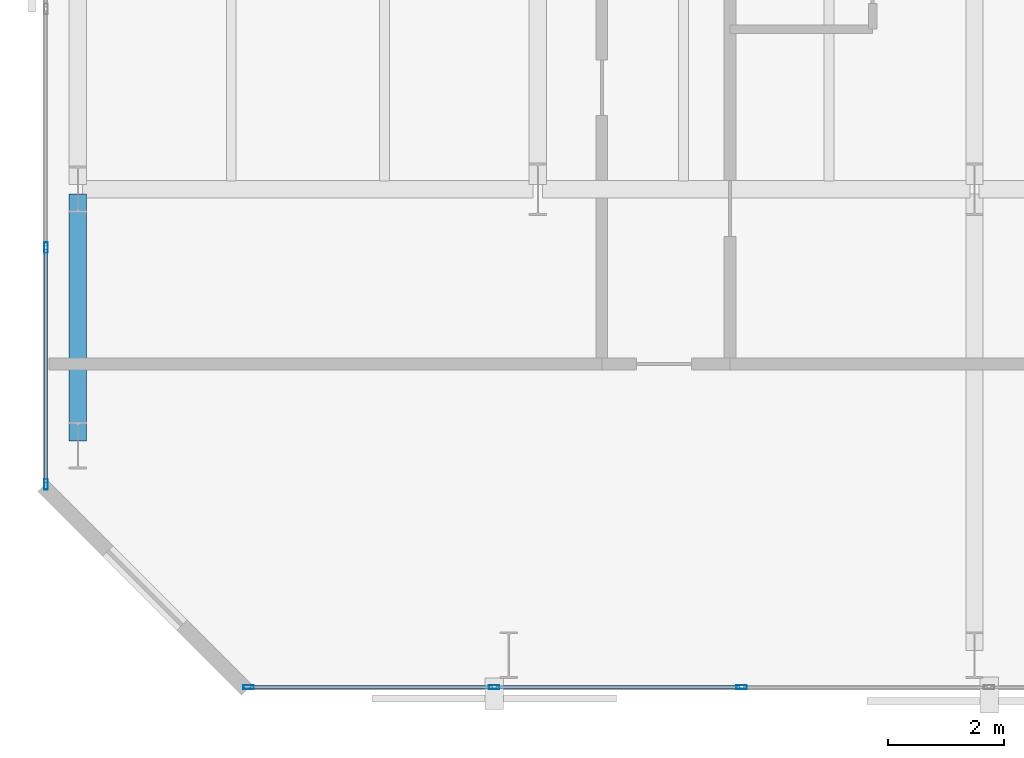
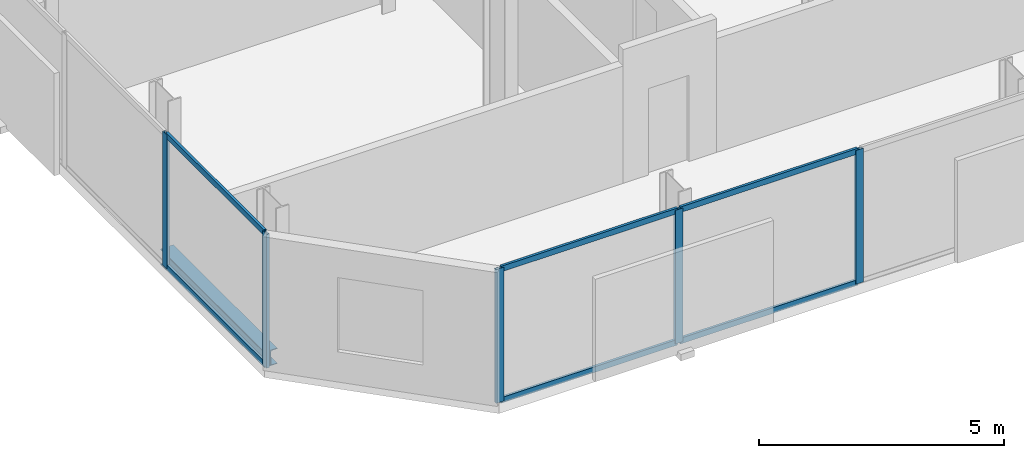
# One storey, part 3 of 32: 11 members, 1 beam, 2 elements without a shape of their own.
"""IFC4 building model written with IfcOpenShell, lengths in metres."""

from ifc_helpers import new_model, si_unit, direction, frame, origin, origin_2d, place, context, subcontext, project, spatial, hollow_rectangle, i_section, extrude, material, layer, layer_set, material_profile, profile_set, type_object, element, aggregate, save


model = new_model("IFC4")

# Units and contexts
model_context = context("Model", 3, precision=1e-05, world=origin(), true_north=direction((0.0, 1.0)))
body_context = subcontext(model_context, "Body", "Model", "MODEL_VIEW")
ifc_project = project(units=[si_unit("LENGTHUNIT", "METRE"), si_unit("AREAUNIT", "SQUARE_METRE"), si_unit("VOLUMEUNIT", "CUBIC_METRE"), si_unit("PLANEANGLEUNIT", "RADIAN"), si_unit("MASSUNIT", "GRAM", prefix="KILO")], contexts=[model_context])

# Site, building, storey
site_placement = place(None, origin())
site = spatial("IfcSite", under=ifc_project, at=site_placement, CompositionType="ELEMENT")
building_placement = place(site_placement, origin())
building = spatial("IfcBuilding", under=site, at=building_placement, Name="Catumbela Crestline Tower", CompositionType="ELEMENT")
storey_placement = place(building_placement, frame((0.0, 0.0, 65.4)))
storey = spatial("IfcBuildingStorey", under=building, at=storey_placement, Name="L16", CompositionType="ELEMENT", Elevation=65.4)

# Curtain wall, members
ifc_material_1 = material(Name="Aluminium alloy AW-6060-T66", Category="aluminium")
ifc_layer = layer(ifc_material_1, 0.18, Name="Aluminium alloy AW-6060-T66")
ifc_layer_set = layer_set([ifc_layer], Name="Aluminium alloy AW-6060-T66")
curtain_wall_type = type_object("IfcCurtainWallType", Name="CWU-Z1", PredefinedType="USERDEFINED", material=ifc_layer_set)
curtain_wall_1_placement = place(storey_placement, origin())
curtain_wall_1 = element("IfcCurtainWall", 1, at=curtain_wall_1_placement, inside=storey, type_object=curtain_wall_type, Name="L16 Unitised Curtain Wall CW-L16-E0S1", ObjectType="UNITISED", PredefinedType="USERDEFINED")
ifc_material_profile_1 = material_profile(ifc_material_1, hollow_rectangle(XDim=0.065, YDim=0.18, WallThickness=0.004, at=origin_2d()), Name="ALU 180x65x4")
ifc_profile_set_1 = profile_set([ifc_material_profile_1], Name="Aluminium alloy AW-6060-T66")
member_type_1 = type_object("IfcMemberType", Name="MUL-180X65", PredefinedType="MULLION", material=ifc_profile_set_1)
member_1_placement = place(storey_placement, frame((3.5325, 0.05, 0.0), z_axis=(0.0, 0.0, 1.0), x_axis=(0.0, 1.0, 0.0)))
member_1 = element("IfcMember", 2, at=member_1_placement, type_object=member_type_1, Name="CWU-Z1 mullion 1", PredefinedType="MULLION", context=body_context, shape_type="SweptSolid", body=[
    extrude(hollow_rectangle(XDim=0.065, YDim=0.18, WallThickness=0.004, at=origin_2d()), origin(), (0.0, 0.0, 1.0), 3.33),
])
member_2_placement = place(storey_placement, frame((7.75, 0.05, 0.0), z_axis=(0.0, 0.0, 1.0), x_axis=(0.0, 1.0, 0.0)))
member_2 = element("IfcMember", 3, at=member_2_placement, type_object=member_type_1, Name="CWU-Z1 mullion 2", PredefinedType="MULLION", context=body_context, shape_type="SweptSolid", body=[
    extrude(hollow_rectangle(XDim=0.065, YDim=0.18, WallThickness=0.004, at=origin_2d()), origin(), (0.0, 0.0, 1.0), 3.33),
])
member_3_placement = place(storey_placement, frame((12.0, 0.05, 0.0), z_axis=(0.0, 0.0, 1.0), x_axis=(0.0, 1.0, 0.0)))
member_3 = element("IfcMember", 4, at=member_3_placement, type_object=member_type_1, Name="CWU-Z1 mullion 3", PredefinedType="MULLION", context=body_context, shape_type="SweptSolid", body=[
    extrude(hollow_rectangle(XDim=0.065, YDim=0.18, WallThickness=0.004, at=origin_2d()), origin(), (0.0, 0.0, 1.0), 3.33),
])

curtain_wall_2_placement = place(storey_placement, origin())
curtain_wall_2 = element("IfcCurtainWall", 5, at=curtain_wall_2_placement, inside=storey, type_object=curtain_wall_type, Name="L16 Unitised Curtain Wall CW-L16-E9S1", ObjectType="UNITISED", PredefinedType="USERDEFINED")
member_4_placement = place(storey_placement, frame((0.05, 7.6, 0.0), z_axis=(0.0, 0.0, 1.0), x_axis=(1.0, 0.0, 0.0)))
member_4 = element("IfcMember", 6, at=member_4_placement, type_object=member_type_1, Name="CWU-Z1 mullion 10", PredefinedType="MULLION", context=body_context, shape_type="SweptSolid", body=[
    extrude(hollow_rectangle(XDim=0.065, YDim=0.18, WallThickness=0.004, at=origin_2d()), origin(), (0.0, 0.0, 1.0), 3.33),
])
member_5_placement = place(storey_placement, frame((0.05, 3.5325, 0.0), z_axis=(0.0, 0.0, 1.0), x_axis=(1.0, 0.0, 0.0)))
member_5 = element("IfcMember", 7, at=member_5_placement, type_object=member_type_1, Name="CWU-Z1 mullion 11", PredefinedType="MULLION", context=body_context, shape_type="SweptSolid", body=[
    extrude(hollow_rectangle(XDim=0.065, YDim=0.18, WallThickness=0.004, at=origin_2d()), origin(), (0.0, 0.0, 1.0), 3.33),
])

# Beam
ifc_material_2 = material(Name="Structural steel S355J2", Category="steel")
ifc_material_profile_2 = material_profile(ifc_material_2, i_section(OverallWidth=0.3, OverallDepth=0.39, WebThickness=0.011, FlangeThickness=0.019, FilletRadius=0.027, at=origin_2d()), Name="HEA 400")
ifc_profile_set_2 = profile_set([ifc_material_profile_2], Name="Structural steel S355J2")
beam_type = type_object("IfcBeamType", Name="BS-HEA400", PredefinedType="SPANDREL", material=ifc_profile_set_2)
beam_placement = place(storey_placement, frame((0.6, 4.28, -0.455), z_axis=(0.0, 1.0, 0.0), x_axis=(-1.0, 0.0, 0.0)))
element("IfcBeam", 8, at=beam_placement, inside=storey, type_object=beam_type, Name="L16 Spandrel SP-L16-WNS57", PredefinedType="SPANDREL", context=body_context, shape_type="SweptSolid", body=[
    extrude(i_section(OverallWidth=0.3, OverallDepth=0.39, WebThickness=0.011, FlangeThickness=0.019, FilletRadius=0.027, at=origin_2d()), origin(), (0.0, 0.0, 1.0), 4.24),
])

# Member
ifc_material_profile_3 = material_profile(ifc_material_1, hollow_rectangle(XDim=0.06, YDim=0.14, WallThickness=0.004, at=origin_2d()), Name="ALU 140x60x4")
ifc_profile_set_3 = profile_set([ifc_material_profile_3], Name="Aluminium alloy AW-6060-T66")
member_type_2 = type_object("IfcMemberType", Name="TRN-140X60", PredefinedType="USERDEFINED", material=ifc_profile_set_3)
member_6_placement = place(storey_placement, frame((3.565, 0.05, 0.03), z_axis=(1.0, 0.0, 0.0), x_axis=(0.0, 1.0, 0.0)))
member_6 = element("IfcMember", 9, at=member_6_placement, type_object=member_type_2, Name="CWU-Z1 transom 1.1", ObjectType="TRANSOM", PredefinedType="USERDEFINED", context=body_context, shape_type="SweptSolid", body=[
    extrude(hollow_rectangle(XDim=0.06, YDim=0.14, WallThickness=0.004, at=origin_2d()), origin(), (0.0, 0.0, 1.0), 4.1525),
])

member_7_placement = place(storey_placement, frame((3.565, 0.05, 3.3), z_axis=(1.0, 0.0, 0.0), x_axis=(0.0, 1.0, 0.0)))
member_7 = element("IfcMember", 10, at=member_7_placement, type_object=member_type_2, Name="CWU-Z1 transom 1.2", ObjectType="TRANSOM", PredefinedType="USERDEFINED", context=body_context, shape_type="SweptSolid", body=[
    extrude(hollow_rectangle(XDim=0.06, YDim=0.14, WallThickness=0.004, at=origin_2d()), origin(), (0.0, 0.0, 1.0), 4.1525),
])

member_8_placement = place(storey_placement, frame((7.7825, 0.05, 0.03), z_axis=(1.0, 0.0, 0.0), x_axis=(0.0, 1.0, 0.0)))
member_8 = element("IfcMember", 11, at=member_8_placement, type_object=member_type_2, Name="CWU-Z1 transom 2.1", ObjectType="TRANSOM", PredefinedType="USERDEFINED", context=body_context, shape_type="SweptSolid", body=[
    extrude(hollow_rectangle(XDim=0.06, YDim=0.14, WallThickness=0.004, at=origin_2d()), origin(), (0.0, 0.0, 1.0), 4.185),
])

member_9_placement = place(storey_placement, frame((7.7825, 0.05, 3.3), z_axis=(1.0, 0.0, 0.0), x_axis=(0.0, 1.0, 0.0)))
member_9 = element("IfcMember", 12, at=member_9_placement, type_object=member_type_2, Name="CWU-Z1 transom 2.2", ObjectType="TRANSOM", PredefinedType="USERDEFINED", context=body_context, shape_type="SweptSolid", body=[
    extrude(hollow_rectangle(XDim=0.06, YDim=0.14, WallThickness=0.004, at=origin_2d()), origin(), (0.0, 0.0, 1.0), 4.185),
])

aggregate(curtain_wall_1, [member_1, member_2, member_3, member_6, member_7, member_8, member_9])

member_10_placement = place(storey_placement, frame((0.05, 7.5675, 0.03), z_axis=(0.0, -1.0, 0.0), x_axis=(1.0, 0.0, 0.0)))
member_10 = element("IfcMember", 13, at=member_10_placement, type_object=member_type_2, Name="CWU-Z1 transom 10.1", ObjectType="TRANSOM", PredefinedType="USERDEFINED", context=body_context, shape_type="SweptSolid", body=[
    extrude(hollow_rectangle(XDim=0.06, YDim=0.14, WallThickness=0.004, at=origin_2d()), origin(), (0.0, 0.0, 1.0), 4.0025),
])

member_11_placement = place(storey_placement, frame((0.05, 7.5675, 3.3), z_axis=(0.0, -1.0, 0.0), x_axis=(1.0, 0.0, 0.0)))
member_11 = element("IfcMember", 14, at=member_11_placement, type_object=member_type_2, Name="CWU-Z1 transom 10.2", ObjectType="TRANSOM", PredefinedType="USERDEFINED", context=body_context, shape_type="SweptSolid", body=[
    extrude(hollow_rectangle(XDim=0.06, YDim=0.14, WallThickness=0.004, at=origin_2d()), origin(), (0.0, 0.0, 1.0), 4.0025),
])

aggregate(curtain_wall_2, [member_4, member_5, member_10, member_11])

save(model, "model.ifc")
